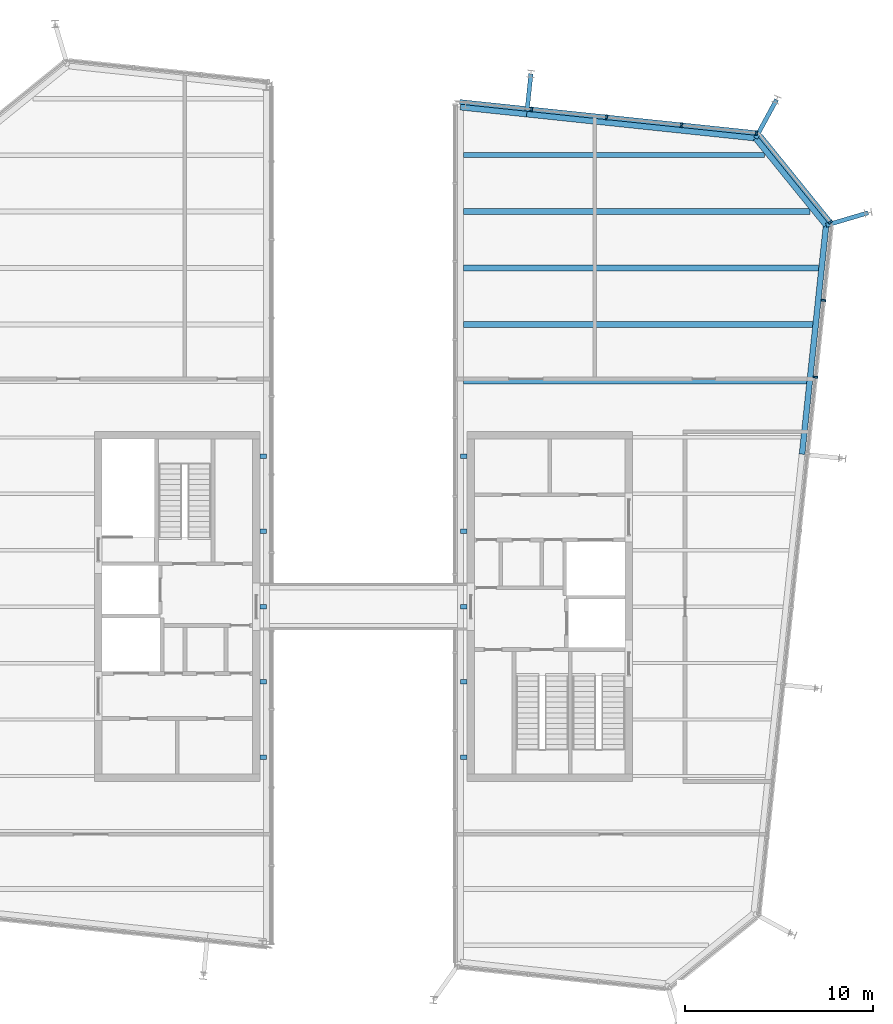
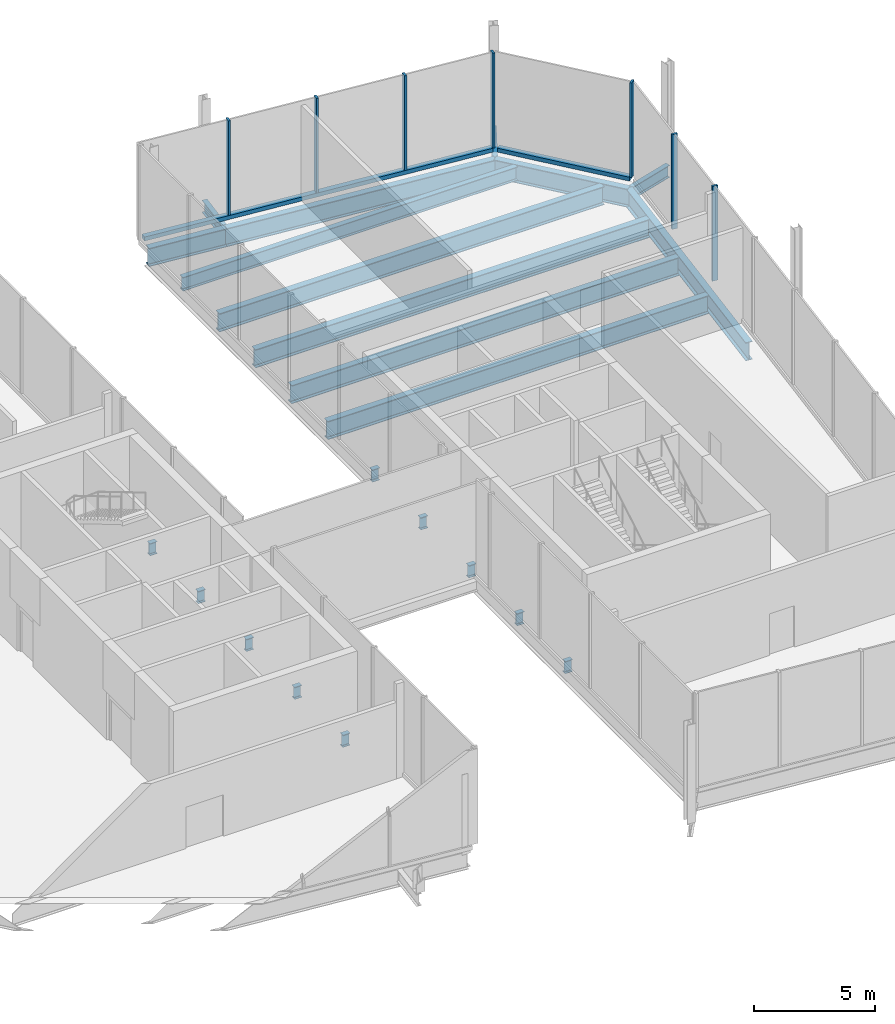
# One storey, part 6 of 12: 22 beams, 9 members, 3 elements without a shape of their own.
"""IFC4 building model written with IfcOpenShell, lengths in metres."""

import ifcopenshell
import ifcopenshell.guid

model = None  # the IFC model being written
_history = None  # IfcOwnerHistory: only IFC2X3 demands one
_inside = {}  # id of a spatial element -> (the spatial element, [elements in it])
_under = {}  # id of a project, library or spatial element -> (it, [spatial elements below it])
_declared = {}  # id of a project -> (the project, [libraries it declares])
_typed = {}  # id of a type object -> (the type object, [elements of that type])
_made_of = {}  # id of a material, layer set ... -> (it, [elements and type objects made of it])


def new_model(schema):
    """Start an empty IFC model of exactly this schema.

    Asked for "IFC4X3", IfcOpenShell would pick the latest addendum, in which some entities
    have other attributes; the version numbers below select the first issue.
    IFC2X3 requires an IfcOwnerHistory on every rooted entity: one is made here for all.
    """
    global model, _history
    if schema == "IFC4X3":
        model = ifcopenshell.file(schema_version=(4, 3, 0, 0))
    else:
        model = ifcopenshell.file(schema=schema)
    _inside.clear()
    _under.clear()
    _declared.clear()
    _typed.clear()
    _made_of.clear()
    _history = None
    if model.schema == "IFC2X3":
        org = make("IfcOrganization", Name="unknown")
        user = make(
            "IfcPersonAndOrganization",
            ThePerson=make("IfcPerson", FamilyName="unknown"),
            TheOrganization=org,
        )
        app = make(
            "IfcApplication",
            ApplicationDeveloper=org,
            Version="unknown",
            ApplicationFullName="unknown",
            ApplicationIdentifier="unknown",
        )
        _history = make(
            "IfcOwnerHistory",
            OwningUser=user,
            OwningApplication=app,
            ChangeAction="ADDED",
            CreationDate=0,
        )
    return model


def make(cls, **values):
    """One entity of the class cls with the attributes given. An attribute that is None is left unset."""
    return model.create_entity(
        cls, **{name: value for name, value in values.items() if value is not None}
    )


def rooted(cls, **values):
    """An entity with a GlobalId (a new one), such as an element, a storey or a relation."""
    return make(cls, GlobalId=ifcopenshell.guid.new(), OwnerHistory=_history, **values)


def si_unit(unit_type, name, prefix=None):
    """IfcSIUnit, for example si_unit("LENGTHUNIT", "METRE", prefix="MILLI")."""
    return make("IfcSIUnit", UnitType=unit_type, Prefix=prefix, Name=name)


def assignment(units):
    """IfcUnitAssignment: the units of a project."""
    return None if units is None else make("IfcUnitAssignment", Units=units)


def point(xyz):
    """IfcCartesianPoint."""
    return None if xyz is None else make("IfcCartesianPoint", Coordinates=xyz)


def direction(xyz):
    """IfcDirection."""
    return None if xyz is None else make("IfcDirection", DirectionRatios=xyz)


def frame(location, z_axis=None, x_axis=None):
    """IfcAxis2Placement3D, a coordinate frame: its origin and axes. An axis left out is left unset."""
    return make(
        "IfcAxis2Placement3D",
        Location=point(location),
        Axis=direction(z_axis),
        RefDirection=direction(x_axis),
    )


def frame_2d(location, x_axis=None):
    """IfcAxis2Placement2D, a coordinate frame in the plane: its origin and x axis."""
    return make(
        "IfcAxis2Placement2D", Location=point(location), RefDirection=direction(x_axis)
    )


def origin():
    """The frame at (0, 0, 0) with its axes left unset."""
    return frame((0.0, 0.0, 0.0))


def origin_2d():
    """The frame at (0, 0) in the plane with its x axis left unset."""
    return frame_2d((0.0, 0.0))


def place(relative_to, where):
    """IfcLocalPlacement: puts the frame where relative to a parent placement (None: the world)."""
    return make(
        "IfcLocalPlacement", PlacementRelTo=relative_to, RelativePlacement=where
    )


def context(
    kind, dimensions, precision=None, world=None, true_north=None, identifier=None
):
    """IfcGeometricRepresentationContext, for example the 3D "Model" context."""
    return make(
        "IfcGeometricRepresentationContext",
        ContextIdentifier=identifier,
        ContextType=kind,
        CoordinateSpaceDimension=dimensions,
        Precision=precision,
        WorldCoordinateSystem=world,
        TrueNorth=true_north,
    )


def subcontext(parent, identifier, kind, view, scale=None):
    """IfcGeometricRepresentationSubContext, for example "Body" below "Model"."""
    return make(
        "IfcGeometricRepresentationSubContext",
        ContextIdentifier=identifier,
        ContextType=kind,
        ParentContext=parent,
        TargetScale=scale,
        TargetView=view,
    )


def project(units=None, contexts=None):
    """IfcProject with its units and contexts."""
    return rooted(
        "IfcProject",
        Name="project",
        RepresentationContexts=contexts,
        UnitsInContext=assignment(units),
    )


def spatial(cls, under=None, at=None, **own):
    """A site, building, storey or space (cls), placed at a placement, below another one or the project."""
    s = rooted(cls, ObjectPlacement=at, **own)
    if under is not None:
        _under.setdefault(under.id(), (under, []))[1].append(s)
    return s


def profile(cls, at=None, kind="AREA", **sizes):
    """A parametric profile (cls). Its sizes go by their IFC names, for example OverallWidth=200.0."""
    return make(cls, ProfileType=kind, Position=at, **sizes)


def rectangle(**sizes):
    """IfcRectangleProfileDef."""
    return profile("IfcRectangleProfileDef", **sizes)


def i_section(**sizes):
    """IfcIShapeProfileDef."""
    return profile("IfcIShapeProfileDef", **sizes)


def extrude(swept, where, along, depth):
    """IfcExtrudedAreaSolid: the profile swept, set in the frame where, extruded along a direction by depth."""
    return make(
        "IfcExtrudedAreaSolid",
        SweptArea=swept,
        Position=where,
        ExtrudedDirection=direction(along),
        Depth=depth,
    )


def shape(context_of_items, identifier, shape_type, items):
    """IfcShapeRepresentation: the items that make up one representation, for example the "Body"."""
    return make(
        "IfcShapeRepresentation",
        ContextOfItems=context_of_items,
        RepresentationIdentifier=identifier,
        RepresentationType=shape_type,
        Items=items,
    )


def material(Name=None, Category=None):
    """IfcMaterial."""
    return make("IfcMaterial", Name=Name, Category=Category)


def layer(
    of_material, thickness, ventilated=None, Name=None, Category=None, Priority=None
):
    """IfcMaterialLayer: one layer of a wall or slab, of a material (None: an air gap)."""
    return make(
        "IfcMaterialLayer",
        Material=of_material,
        LayerThickness=thickness,
        IsVentilated=ventilated,
        Name=Name,
        Category=Category,
        Priority=Priority,
    )


def layer_set(layers, Name=None):
    """IfcMaterialLayerSet."""
    return make("IfcMaterialLayerSet", MaterialLayers=layers, LayerSetName=Name)


def material_profile(
    of_material, cross_section, Name=None, Category=None, Priority=None
):
    """IfcMaterialProfile: a cross section and its material."""
    return make(
        "IfcMaterialProfile",
        Name=Name,
        Material=of_material,
        Profile=cross_section,
        Priority=Priority,
        Category=Category,
    )


def profile_set(profiles, Name=None, composite=None):
    """IfcMaterialProfileSet."""
    return make(
        "IfcMaterialProfileSet",
        Name=Name,
        MaterialProfiles=profiles,
        CompositeProfile=composite,
    )


def made_of(thing, what):
    """Note that an element or type object is made of a material, layer set ...; save() writes the relation."""
    if what is not None:
        _made_of.setdefault(what.id(), (what, []))[1].append(thing)
    return thing


def type_object(cls, material=None, **own):
    """A type object (cls), such as IfcWallType, which elements share."""
    return made_of(rooted(cls, **own), material)


def element(
    cls,
    number,
    at=None,
    inside=None,
    cuts=None,
    type_object=None,
    material=None,
    context=None,
    identifier="Body",
    shape_type=None,
    held_by="IfcProductDefinitionShape",
    body=None,
    shapes=None,
    **own,
):
    """One element of the class cls, such as IfcWall. Its Tag is "e" and its number.

    at: its placement. inside: the storey or other place that contains it. cuts: it is an
    opening in that element (IfcRelVoidsElement). A single representation is given by context,
    identifier, shape_type and body (its items); several are given by shapes. held_by: the class
    of the entity that holds the representations. save() writes the other relations.
    """
    e = rooted(cls, Tag="e%d" % number, ObjectPlacement=at, **own)
    if body is not None:
        shapes = [shape(context, identifier, shape_type, body)]
    if shapes is not None:
        e.Representation = make(held_by, Representations=shapes)
    if inside is not None:
        _inside.setdefault(inside.id(), (inside, []))[1].append(e)
    if cuts is not None:
        rooted(
            "IfcRelVoidsElement", RelatingBuildingElement=cuts, RelatedOpeningElement=e
        )
    if type_object is not None:
        _typed.setdefault(type_object.id(), (type_object, []))[1].append(e)
    return made_of(e, material)


def aggregate(whole, parts):
    """IfcRelAggregates: a whole, such as a stair, and the parts it consists of."""
    return rooted("IfcRelAggregates", RelatingObject=whole, RelatedObjects=parts)


def save(model, path):
    """Write the relations noted so far, then the file.

    IfcRelAggregates (storeys below a building ...), IfcRelContainedInSpatialStructure (elements
    in a storey), IfcRelDefinesByType, IfcRelAssociatesMaterial and IfcRelDeclares: one each for
    every whole, place, type object, material and project.
    """
    for whole, parts in _under.values():
        aggregate(whole, parts)
    for where, things in _inside.values():
        rooted(
            "IfcRelContainedInSpatialStructure",
            RelatedElements=things,
            RelatingStructure=where,
        )
    for kind, things in _typed.values():
        rooted("IfcRelDefinesByType", RelatedObjects=things, RelatingType=kind)
    for what, things in _made_of.values():
        rooted("IfcRelAssociatesMaterial", RelatedObjects=things, RelatingMaterial=what)
    for by, libraries in _declared.values():
        rooted("IfcRelDeclares", RelatingContext=by, RelatedDefinitions=libraries)
    model.write(path)


model = new_model("IFC4")

# Units and contexts
model_context = context("Model", 3, precision=1e-05, world=origin(), true_north=direction((0.0, 1.0)))
body_context = subcontext(model_context, "Body", "Model", "MODEL_VIEW")
ifc_project = project(units=[si_unit("LENGTHUNIT", "METRE"), si_unit("AREAUNIT", "SQUARE_METRE"), si_unit("VOLUMEUNIT", "CUBIC_METRE"), si_unit("PLANEANGLEUNIT", "RADIAN"), si_unit("MASSUNIT", "GRAM", prefix="KILO")], contexts=[model_context])

# Site, building, storey
site_placement = place(None, origin())
site = spatial("IfcSite", under=ifc_project, at=site_placement, CompositionType="ELEMENT")
building_placement = place(site_placement, origin())
building = spatial("IfcBuilding", under=site, at=building_placement, Name="Millrace Tower", CompositionType="ELEMENT")
storey_placement = place(building_placement, frame((0.0, 0.0, 347.10009765625)))
storey = spatial("IfcBuildingStorey", under=building, at=storey_placement, Name="L80", CompositionType="ELEMENT", Elevation=347.10009765625)

# Curtain wall, members
ifc_material_1 = material(Name="Aluminium and glass", Category="aluminium")
ifc_layer = layer(ifc_material_1, 0.25)
ifc_layer_set = layer_set([ifc_layer], Name="Aluminium and glass")
curtain_wall_type = type_object("IfcCurtainWallType", Name="CW-7 crown louvred enclosure", PredefinedType="NOTDEFINED", material=ifc_layer_set)
placement = place(storey_placement, origin())
curtain_wall_1 = element("IfcCurtainWall", 1, at=placement, inside=storey, type_object=curtain_wall_type, Name="Curtain wall CE-F04 L80", PredefinedType="NOTDEFINED")
ifc_material_2 = material(Name="Aluminium", Category="aluminium")
ifc_material_profile_1 = material_profile(ifc_material_2, rectangle(XDim=0.10009765625, YDim=0.25, at=origin_2d()))
ifc_profile_set_1 = profile_set([ifc_material_profile_1], Name="Aluminium")
member_type_1 = type_object("IfcMemberType", Name="CW-7 crown louvred enclosure mullion", PredefinedType="MULLION", material=ifc_profile_set_1)
member_1_placement = place(storey_placement, frame((24.0263671875, 12.202392578125, 0.199951171875), z_axis=(0.0, 0.0, 1.0), x_axis=(0.104528455196, 0.994521896217, 0.0)))
member_1 = element("IfcMember", 2, at=member_1_placement, type_object=member_type_1, Name="CW7 mullion CE-F04.8", PredefinedType="MULLION", context=body_context, shape_type="SweptSolid", body=[
    extrude(rectangle(XDim=0.10009765625, YDim=0.25, at=origin_2d()), origin(), (0.0, 0.0, 1.0), 4.800048828125),
])
member_2_placement = place(storey_placement, frame((24.454833984375, 16.280029296875, 0.199951171875), z_axis=(0.0, 0.0, 1.0), x_axis=(0.104528455196, 0.994521896217, 0.0)))
member_2 = element("IfcMember", 3, at=member_2_placement, type_object=member_type_1, Name="CW7 mullion CE-F04.9", PredefinedType="MULLION", context=body_context, shape_type="SweptSolid", body=[
    extrude(rectangle(XDim=0.10009765625, YDim=0.25, at=origin_2d()), origin(), (0.0, 0.0, 1.0), 4.800048828125),
])
aggregate(curtain_wall_1, [member_1, member_2])

# Curtain wall, member
curtain_wall_2 = element("IfcCurtainWall", 4, at=placement, inside=storey, type_object=curtain_wall_type, Name="Curtain wall CE-F05 L80", PredefinedType="NOTDEFINED")
member_3_placement = place(storey_placement, frame((24.819580078125, 20.4384765625, 0.199951171875), z_axis=(0.0, 0.0, 1.0), x_axis=(-0.629320278945, 0.777146052237, 0.0)))
member_3 = element("IfcMember", 5, at=member_3_placement, type_object=member_type_1, Name="CW7 mullion CE-F05.1", PredefinedType="MULLION", context=body_context, shape_type="SweptSolid", body=[
    extrude(rectangle(XDim=0.10009765625, YDim=0.25, at=origin_2d()), origin(), (0.0, 0.0, 1.0), 4.800048828125),
])

# Curtain wall, members
curtain_wall_3 = element("IfcCurtainWall", 6, at=placement, inside=storey, type_object=curtain_wall_type, Name="Curtain wall CE-F06 L80", PredefinedType="NOTDEFINED")
member_4_placement = place(storey_placement, frame((20.890380859375, 25.17626953125, 0.199951171875), z_axis=(0.0, 0.0, 1.0), x_axis=(-0.994521896083, 0.104528456463, 0.0)))
member_4 = element("IfcMember", 7, at=member_4_placement, type_object=member_type_1, Name="CW7 mullion CE-F06.1", PredefinedType="MULLION", context=body_context, shape_type="SweptSolid", body=[
    extrude(rectangle(XDim=0.10009765625, YDim=0.25, at=origin_2d()), origin(), (0.0, 0.0, 1.0), 4.800048828125),
])
member_5_placement = place(storey_placement, frame((16.908447265625, 25.594970703125, 0.199951171875), z_axis=(0.0, 0.0, 1.0), x_axis=(-0.994521896083, 0.104528456463, 0.0)))
member_5 = element("IfcMember", 8, at=member_5_placement, type_object=member_type_1, Name="CW7 mullion CE-F06.2", PredefinedType="MULLION", context=body_context, shape_type="SweptSolid", body=[
    extrude(rectangle(XDim=0.10009765625, YDim=0.25, at=origin_2d()), origin(), (0.0, 0.0, 1.0), 4.800048828125),
])
member_6_placement = place(storey_placement, frame((12.9267578125, 26.013427734375, 0.199951171875), z_axis=(0.0, 0.0, 1.0), x_axis=(-0.994521896083, 0.104528456463, 0.0)))
member_6 = element("IfcMember", 9, at=member_6_placement, type_object=member_type_1, Name="CW7 mullion CE-F06.3", PredefinedType="MULLION", context=body_context, shape_type="SweptSolid", body=[
    extrude(rectangle(XDim=0.10009765625, YDim=0.25, at=origin_2d()), origin(), (0.0, 0.0, 1.0), 4.800048828125),
])
member_7_placement = place(storey_placement, frame((8.945068359375, 26.431884765625, 0.199951171875), z_axis=(0.0, 0.0, 1.0), x_axis=(-0.994521896083, 0.104528456463, 0.0)))
member_7 = element("IfcMember", 10, at=member_7_placement, type_object=member_type_1, Name="CW7 mullion CE-F06.4", PredefinedType="MULLION", context=body_context, shape_type="SweptSolid", body=[
    extrude(rectangle(XDim=0.10009765625, YDim=0.25, at=origin_2d()), origin(), (0.0, 0.0, 1.0), 4.800048828125),
])

# Member
ifc_material_3 = material(Name="Aluminium", Category="aluminium")
ifc_material_profile_2 = material_profile(ifc_material_3, rectangle(XDim=0.25, YDim=0.199951171875, at=origin_2d()))
ifc_profile_set_2 = profile_set([ifc_material_profile_2], Name="Aluminium")
member_type_2 = type_object("IfcMemberType", Name="CW-7 crown louvred enclosure transom", PredefinedType="USERDEFINED", material=ifc_profile_set_2)
member_8_placement = place(storey_placement, frame((24.7880859375, 20.477294921875, 0.099853515625), z_axis=(-0.629321221277, 0.777145289151, 0.0), x_axis=(-0.777145289151, -0.629321221277, 0.0)))
member_8 = element("IfcMember", 11, at=member_8_placement, type_object=member_type_2, Name="CW7 transom CE-F05.1", ObjectType="TRANSOM", PredefinedType="USERDEFINED", context=body_context, shape_type="SweptSolid", body=[
    extrude(rectangle(XDim=0.25, YDim=0.199951171875, at=origin_2d()), origin(), (0.0, 0.0, 1.0), 5.881103515625),
])

aggregate(curtain_wall_2, [member_3, member_8])

member_9_placement = place(storey_placement, frame((20.840576171875, 25.181640625, 0.099853515625), z_axis=(-0.99452193556, 0.104528080868, 0.0), x_axis=(-0.104528080868, -0.99452193556, 0.0)))
member_9 = element("IfcMember", 12, at=member_9_placement, type_object=member_type_2, Name="CW7 transom CE-F06.1", ObjectType="TRANSOM", PredefinedType="USERDEFINED", context=body_context, shape_type="SweptSolid", body=[
    extrude(rectangle(XDim=0.25, YDim=0.199951171875, at=origin_2d()), origin(), (0.0, 0.0, 1.0), 15.814697265625),
])

aggregate(curtain_wall_3, [member_4, member_5, member_6, member_7, member_9])

# Beams
ifc_material_4 = material(Name="Steel ASTM A992 Grade 50", Category="steel")
ifc_material_profile_3 = material_profile(ifc_material_4, i_section(OverallWidth=0.256591796875, OverallDepth=0.693359375, WebThickness=0.014404296875, FlangeThickness=0.023681640625, FilletRadius=0.01513671875, at=origin_2d()))
ifc_profile_set_3 = profile_set([ifc_material_profile_3], Name="Steel ASTM A992 Grade 50")
beam_type_1 = type_object("IfcBeamType", Name="Floor beam W27x114", PredefinedType="JOIST", material=ifc_profile_set_3)
beam_1_placement = place(storey_placement, frame((5.307373046875, 24.0, -0.546875), z_axis=(1.0, 0.0, 0.0), x_axis=(0.0, 1.0, 0.0)))
element("IfcBeam", 13, at=beam_1_placement, inside=storey, type_object=beam_type_1, Name="BM-CROWN-L80-SE-S015", PredefinedType="JOIST", context=body_context, shape_type="SweptSolid", body=[
    extrude(i_section(OverallWidth=0.256591796875, OverallDepth=0.693359375, WebThickness=0.014404296875, FlangeThickness=0.023681640625, FilletRadius=0.01513671875, at=origin_2d()), origin(), (0.0, 0.0, 1.0), 16.02392578125),
])
ifc_material_5 = material(Name="Steel ASTM A992 Grade 50", Category="steel")
ifc_material_profile_4 = material_profile(ifc_material_5, i_section(OverallWidth=0.307373046875, OverallDepth=0.927001953125, WebThickness=0.01953125, FlangeThickness=0.031982421875, FilletRadius=0.01904296875, at=origin_2d()))
ifc_profile_set_4 = profile_set([ifc_material_profile_4], Name="Steel ASTM A992 Grade 50")
beam_type_2 = type_object("IfcBeamType", Name="Floor beam W36x194", PredefinedType="JOIST", material=ifc_profile_set_4)
beam_2_placement = place(storey_placement, frame((5.307373046875, 12.0, -0.66357421875), z_axis=(1.0, 0.0, 0.0), x_axis=(0.0, 1.0, 0.0)))
element("IfcBeam", 14, at=beam_2_placement, inside=storey, type_object=beam_type_2, Name="BM-CROWN-L80-SE-S011", PredefinedType="JOIST", context=body_context, shape_type="SweptSolid", body=[
    extrude(i_section(OverallWidth=0.307373046875, OverallDepth=0.927001953125, WebThickness=0.01953125, FlangeThickness=0.031982421875, FilletRadius=0.01904296875, at=origin_2d()), origin(), (0.0, 0.0, 1.0), 18.262939453125),
])
beam_3_placement = place(storey_placement, frame((5.307373046875, 15.0, -0.66357421875), z_axis=(1.0, 0.0, 0.0), x_axis=(0.0, 1.0, 0.0)))
element("IfcBeam", 15, at=beam_3_placement, inside=storey, type_object=beam_type_2, Name="BM-CROWN-L80-SE-S012", PredefinedType="JOIST", context=body_context, shape_type="SweptSolid", body=[
    extrude(i_section(OverallWidth=0.307373046875, OverallDepth=0.927001953125, WebThickness=0.01953125, FlangeThickness=0.031982421875, FilletRadius=0.01904296875, at=origin_2d()), origin(), (0.0, 0.0, 1.0), 18.578369140625),
])
beam_4_placement = place(storey_placement, frame((5.307373046875, 18.0, -0.66357421875), z_axis=(1.0, 0.0, 0.0), x_axis=(0.0, 1.0, 0.0)))
element("IfcBeam", 16, at=beam_4_placement, inside=storey, type_object=beam_type_2, Name="BM-CROWN-L80-SE-S013", PredefinedType="JOIST", context=body_context, shape_type="SweptSolid", body=[
    extrude(i_section(OverallWidth=0.307373046875, OverallDepth=0.927001953125, WebThickness=0.01953125, FlangeThickness=0.031982421875, FilletRadius=0.01904296875, at=origin_2d()), origin(), (0.0, 0.0, 1.0), 18.8935546875),
])
beam_5_placement = place(storey_placement, frame((5.307373046875, 21.0, -0.66357421875), z_axis=(1.0, 0.0, 0.0), x_axis=(0.0, 1.0, 0.0)))
element("IfcBeam", 17, at=beam_5_placement, inside=storey, type_object=beam_type_2, Name="BM-CROWN-L80-SE-S014", PredefinedType="JOIST", context=body_context, shape_type="SweptSolid", body=[
    extrude(i_section(OverallWidth=0.307373046875, OverallDepth=0.927001953125, WebThickness=0.01953125, FlangeThickness=0.031982421875, FilletRadius=0.01904296875, at=origin_2d()), origin(), (0.0, 0.0, 1.0), 18.43310546875),
])
ifc_material_6 = material(Name="Steel ASTM A992 Grade 50", Category="steel")
ifc_material_profile_5 = material_profile(ifc_material_6, i_section(OverallWidth=0.23046875, OverallDepth=0.6171875, WebThickness=0.01318359375, FlangeThickness=0.022216796875, FilletRadius=0.012939453125, at=origin_2d()))
ifc_profile_set_5 = profile_set([ifc_material_profile_5], Name="Steel ASTM A992 Grade 50")
beam_type_3 = type_object("IfcBeamType", Name="Link beam W24x94", PredefinedType="BEAM", material=ifc_profile_set_5)
beam_6_placement = place(storey_placement, frame((8.6943359375, 26.33251953125, -0.5087890625), z_axis=(0.104494148666, 0.99452550138, 0.0), x_axis=(-0.99452550138, 0.104494148666, 0.0)))
element("IfcBeam", 18, at=beam_6_placement, inside=storey, type_object=beam_type_3, Name="LNK-CROWN-L80-SE-01", PredefinedType="BEAM", context=body_context, shape_type="SweptSolid", body=[
    extrude(i_section(OverallWidth=0.23046875, OverallDepth=0.6171875, WebThickness=0.01318359375, FlangeThickness=0.022216796875, FilletRadius=0.012939453125, at=origin_2d()), origin(), (0.0, 0.0, 1.0), 2.0),
])
for number, where, z_axis, x_axis, name in (
    (19, (20.84765625, 24.900634765625, -0.5087890625), (0.477163510307, 0.87881453358, 0.0), (-0.87881453358, 0.477163510307, 0.0), "LNK-CROWN-L80-SE-02"),
    (20, (24.594482421875, 20.273681640625, -0.5087890625), (0.958815015936, 0.284031275065, 0.0), (-0.284031275065, 0.958815015936, 0.0), "LNK-CROWN-L80-SE-03"),
):
    element("IfcBeam", number, at=place(storey_placement, frame(where, z_axis=z_axis, x_axis=x_axis)), inside=storey, type_object=beam_type_3, Name=name, PredefinedType="BEAM", context=body_context, shape_type="SweptSolid", body=[
        extrude(i_section(OverallWidth=0.23046875, OverallDepth=0.6171875, WebThickness=0.01318359375, FlangeThickness=0.022216796875, FilletRadius=0.012939453125, at=origin_2d()), origin(), (0.0, 0.0, 1.0), 2.3310546875),
    ])
ifc_material_7 = material(Name="Steel ASTM A992 Grade 50", Category="steel")
ifc_material_profile_6 = material_profile(ifc_material_7, i_section(OverallWidth=0.307373046875, OverallDepth=0.927001953125, WebThickness=0.01953125, FlangeThickness=0.031982421875, FilletRadius=0.01904296875, at=origin_2d()))
ifc_profile_set_6 = profile_set([ifc_material_profile_6], Name="Steel ASTM A992 Grade 50")
beam_type_4 = type_object("IfcBeamType", Name="Ring beam medium span W36x194", PredefinedType="SPANDREL", material=ifc_profile_set_6)
for number, where, z_axis, x_axis, name in (
    (21, (8.67822265625, 26.1796875, -0.66357421875), (0.994521948696, -0.104527955888, 0.0), (0.104527955888, 0.994521948696, 0.0), "RNG-CROWN-L80-SE-01"),
    (22, (24.594482421875, 20.273681640625, -0.66357421875), (-0.104527955888, -0.994521948696, 0.0), (0.994521948696, -0.104527955888, 0.0), "RNG-CROWN-L80-SE-03"),
):
    element("IfcBeam", number, at=place(storey_placement, frame(where, z_axis=z_axis, x_axis=x_axis)), inside=storey, type_object=beam_type_4, Name=name, PredefinedType="SPANDREL", context=body_context, shape_type="SweptSolid", body=[
        extrude(i_section(OverallWidth=0.307373046875, OverallDepth=0.927001953125, WebThickness=0.01953125, FlangeThickness=0.031982421875, FilletRadius=0.01904296875, at=origin_2d()), origin(), (0.0, 0.0, 1.0), 12.236572265625),
    ])
ifc_material_8 = material(Name="Steel ASTM A992 Grade 50", Category="steel")
ifc_material_profile_7 = material_profile(ifc_material_8, i_section(OverallWidth=0.307373046875, OverallDepth=0.927001953125, WebThickness=0.01953125, FlangeThickness=0.031982421875, FilletRadius=0.01904296875, at=origin_2d()))
ifc_profile_set_7 = profile_set([ifc_material_profile_7], Name="Steel ASTM A992 Grade 50")
beam_type_5 = type_object("IfcBeamType", Name="Ring beam short span W36x194", PredefinedType="SPANDREL", material=ifc_profile_set_7)
beam_7_placement = place(storey_placement, frame((20.84765625, 24.900634765625, -0.66357421875), z_axis=(0.629319722443, -0.777146502883, 0.0), x_axis=(0.777146502883, 0.629319722443, 0.0)))
element("IfcBeam", 23, at=beam_7_placement, inside=storey, type_object=beam_type_5, Name="RNG-CROWN-L80-SE-02", PredefinedType="SPANDREL", context=body_context, shape_type="SweptSolid", body=[
    extrude(i_section(OverallWidth=0.307373046875, OverallDepth=0.927001953125, WebThickness=0.01953125, FlangeThickness=0.031982421875, FilletRadius=0.01904296875, at=origin_2d()), origin(), (0.0, 0.0, 1.0), 5.953857421875),
])
beam_8_placement = place(storey_placement, frame((5.153564453125, 26.550048828125, -0.66357421875), z_axis=(0.994524686779, -0.104501901354, 0.0), x_axis=(0.104501901354, 0.994524686779, 0.0)))
element("IfcBeam", 24, at=beam_8_placement, inside=storey, type_object=beam_type_5, Name="RNG-CROWN-L80-SE-09", PredefinedType="SPANDREL", context=body_context, shape_type="SweptSolid", body=[
    extrude(i_section(OverallWidth=0.307373046875, OverallDepth=0.927001953125, WebThickness=0.01953125, FlangeThickness=0.031982421875, FilletRadius=0.01904296875, at=origin_2d()), origin(), (0.0, 0.0, 1.0), 3.5439453125),
])
ifc_material_9 = material(Name="Steel ASTM A992 Grade 50", Category="steel")
ifc_material_profile_8 = material_profile(ifc_material_9, i_section(OverallWidth=0.23046875, OverallDepth=0.6171875, WebThickness=0.01318359375, FlangeThickness=0.022216796875, FilletRadius=0.012939453125, at=origin_2d()))
ifc_profile_set_8 = profile_set([ifc_material_profile_8], Name="Steel ASTM A992 Grade 50")
beam_type_6 = type_object("IfcBeamType", Name="Tie beam W24x94", PredefinedType="BEAM", material=ifc_profile_set_8)
for number, where, z_axis, x_axis, name in (
    (25, (-5.153564453125, -8.0, -0.5087890625), (-1.0, 0.0, 0.0), (0.0, -1.0, 0.0), "LNK-CROWN-L80-SW-T01"),
    (26, (-5.153564453125, -4.0, -0.5087890625), (-1.0, 0.0, 0.0), (0.0, -1.0, 0.0), "LNK-CROWN-L80-SW-T02"),
    (27, (-5.153564453125, 0.0, -0.5087890625), (-1.0, 0.0, 0.0), (0.0, -1.0, 0.0), "LNK-CROWN-L80-SW-T03"),
    (28, (-5.153564453125, 4.0, -0.5087890625), (-1.0, 0.0, 0.0), (0.0, -1.0, 0.0), "LNK-CROWN-L80-SW-T04"),
    (29, (-5.153564453125, 8.0, -0.5087890625), (-1.0, 0.0, 0.0), (0.0, -1.0, 0.0), "LNK-CROWN-L80-SW-T05"),
    (30, (5.153564453125, -8.0, -0.5087890625), (1.0, 0.0, 0.0), (0.0, 1.0, 0.0), "LNK-CROWN-L80-SE-T01"),
    (31, (5.153564453125, -4.0, -0.5087890625), (1.0, 0.0, 0.0), (0.0, 1.0, 0.0), "LNK-CROWN-L80-SE-T02"),
    (32, (5.153564453125, 0.0, -0.5087890625), (1.0, 0.0, 0.0), (0.0, 1.0, 0.0), "LNK-CROWN-L80-SE-T03"),
    (33, (5.153564453125, 4.0, -0.5087890625), (1.0, 0.0, 0.0), (0.0, 1.0, 0.0), "LNK-CROWN-L80-SE-T04"),
    (34, (5.153564453125, 8.0, -0.5087890625), (1.0, 0.0, 0.0), (0.0, 1.0, 0.0), "LNK-CROWN-L80-SE-T05"),
):
    element("IfcBeam", number, at=place(storey_placement, frame(where, z_axis=z_axis, x_axis=x_axis)), inside=storey, type_object=beam_type_6, Name=name, PredefinedType="BEAM", context=body_context, shape_type="SweptSolid", body=[
        extrude(i_section(OverallWidth=0.23046875, OverallDepth=0.6171875, WebThickness=0.01318359375, FlangeThickness=0.022216796875, FilletRadius=0.012939453125, at=origin_2d()), origin(), (0.0, 0.0, 1.0), 0.346435546875),
    ])

save(model, "model.ifc")
